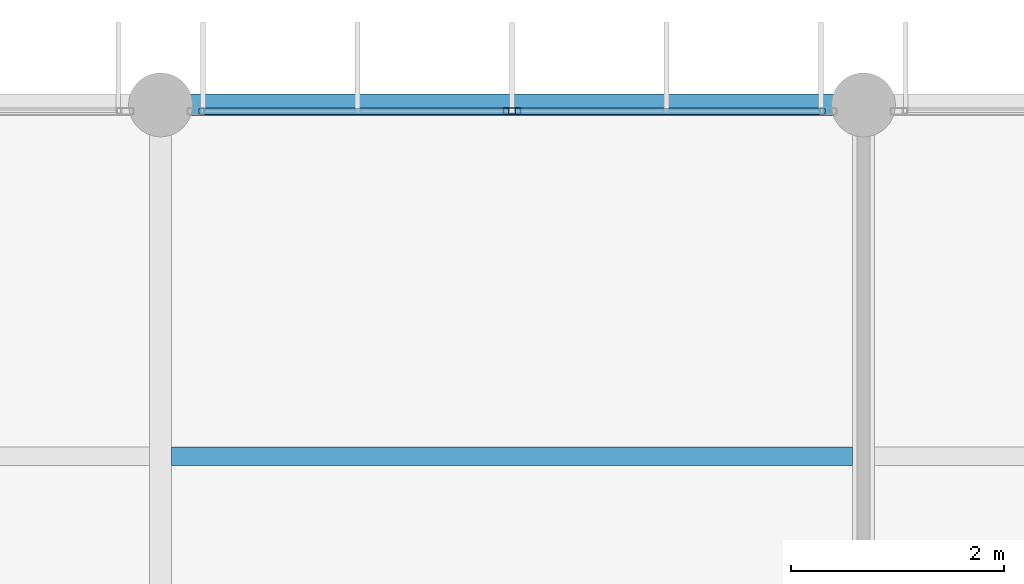
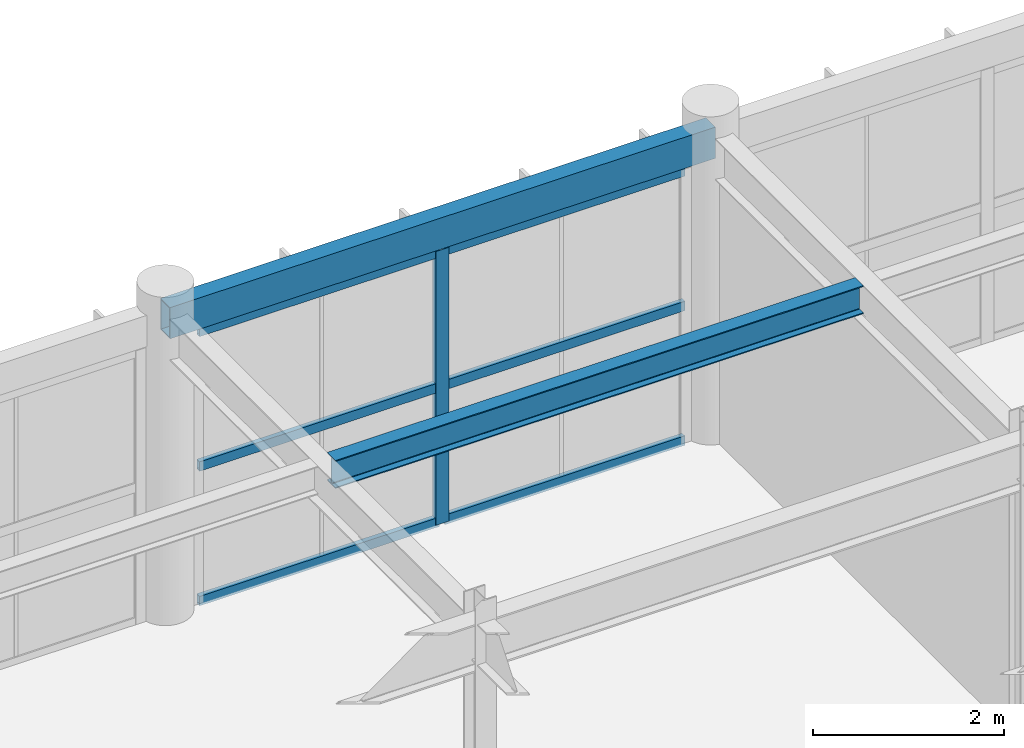
# One storey, part 23 of 66: 7 members, 2 beams, 1 element without a shape of its own.
"""IFC4 building model written with IfcOpenShell, lengths in metres."""

from ifc_helpers import new_model, si_unit, direction, frame, origin, origin_2d, place, context, subcontext, project, spatial, hollow_rectangle, i_section, extrude, material, material_profile, profile_set, type_object, element, aggregate, save


model = new_model("IFC4")

# Units and contexts
model_context = context("Model", 3, precision=1e-05, world=origin(), true_north=direction((0.0, 1.0)))
body_context = subcontext(model_context, "Body", "Model", "MODEL_VIEW")
ifc_project = project(units=[si_unit("LENGTHUNIT", "METRE"), si_unit("AREAUNIT", "SQUARE_METRE"), si_unit("VOLUMEUNIT", "CUBIC_METRE"), si_unit("PLANEANGLEUNIT", "RADIAN"), si_unit("MASSUNIT", "GRAM", prefix="KILO")], contexts=[model_context])

# Site, building, storey
site_placement = place(None, origin())
site = spatial("IfcSite", under=ifc_project, at=site_placement, CompositionType="ELEMENT")
building_placement = place(site_placement, origin())
building = spatial("IfcBuilding", under=site, at=building_placement, Name="Karori Crest Natural Sciences Institute", CompositionType="ELEMENT")
storey_placement = place(building_placement, frame((0.0, 0.0, 30.10009765625)))
storey = spatial("IfcBuildingStorey", under=building, at=storey_placement, Name="L07", CompositionType="ELEMENT", Elevation=30.10009765625)

# Beams
ifc_material_1 = material(Name="Structural steel AS/NZS 3679.1 Grade 350", Category="steel")
ifc_material_profile_1 = material_profile(ifc_material_1, i_section(OverallWidth=0.172119140625, OverallDepth=0.35888671875, WebThickness=0.008056640625, FlangeThickness=0.012939453125, FilletRadius=0.010986328125, at=origin_2d()), Name="360UB56.7")
ifc_profile_set_1 = profile_set([ifc_material_profile_1], Name="Structural steel AS/NZS 3679.1 Grade 350")
beam_type_1 = type_object("IfcBeamType", Name="BT-08", PredefinedType="BEAM", material=ifc_profile_set_1)
beam_1_placement = place(storey_placement, frame((130.1044921875, 17.300048828125, 3.740478515625), z_axis=(1.0, 0.0, 0.0), x_axis=(0.0, 1.0, 0.0)))
element("IfcBeam", 1, at=beam_1_placement, inside=storey, type_object=beam_type_1, Name="Beam B-2685", PredefinedType="BEAM", context=body_context, shape_type="SweptSolid", body=[
    extrude(i_section(OverallWidth=0.172119140625, OverallDepth=0.35888671875, WebThickness=0.008056640625, FlangeThickness=0.012939453125, FilletRadius=0.010986328125, at=origin_2d()), origin(), (0.0, 0.0, 1.0), 6.39111328125),
])
ifc_material_2 = material(Name="Hollow structural steel AS/NZS 1163 Grade C350", Category="steel")
ifc_material_profile_2 = material_profile(ifc_material_2, hollow_rectangle(XDim=0.199951171875, YDim=0.39990234375, WallThickness=0.012451171875, at=origin_2d()), Name="RHS400x200x12.5")
ifc_profile_set_2 = profile_set([ifc_material_profile_2], Name="Hollow structural steel AS/NZS 1163 Grade C350")
beam_type_2 = type_object("IfcBeamType", Name="BT-14", PredefinedType="SPANDREL", material=ifc_profile_set_2)
beam_2_placement = place(storey_placement, frame((130.0, 20.60009765625, 3.719970703125), z_axis=(1.0, 0.0, 0.0), x_axis=(0.0, 1.0, 0.0)))
element("IfcBeam", 2, at=beam_2_placement, inside=storey, type_object=beam_type_2, Name="Beam B-2644", PredefinedType="SPANDREL", context=body_context, shape_type="SweptSolid", body=[
    extrude(hollow_rectangle(XDim=0.199951171875, YDim=0.39990234375, WallThickness=0.012451171875, at=origin_2d()), origin(), (0.0, 0.0, 1.0), 6.60009765625),
])

# Curtain wall, members
ifc_material_3 = material(Name="Anodised architectural aluminium 6063-T6", Category="aluminium")
curtain_wall_type = type_object("IfcCurtainWallType", Name="CWT-20", PredefinedType="NOTDEFINED", material=ifc_material_3)
curtain_wall_placement = place(storey_placement, origin())
curtain_wall = element("IfcCurtainWall", 3, at=curtain_wall_placement, inside=storey, type_object=curtain_wall_type, Name="Curtain wall CW-0361", PredefinedType="NOTDEFINED")
ifc_material_profile_3 = material_profile(ifc_material_3, hollow_rectangle(XDim=0.06494140625, YDim=0.159912109375, WallThickness=0.00390625, at=origin_2d()), Name="CWM160x65x4")
ifc_profile_set_3 = profile_set([ifc_material_profile_3], Name="Anodised architectural aluminium 6063-T6")
member_type_1 = type_object("IfcMemberType", Name="CWM-01", PredefinedType="MULLION", material=ifc_profile_set_3)
member_1_placement = place(storey_placement, frame((133.300048828125, 20.5400390625, 0.0), z_axis=(0.0, 0.0, 1.0), x_axis=(0.0, 1.0, 0.0)))
member_1 = element("IfcMember", 4, at=member_1_placement, type_object=member_type_1, Name="CW-0361 mullion 2", PredefinedType="MULLION", context=body_context, shape_type="SweptSolid", body=[
    extrude(hollow_rectangle(XDim=0.06494140625, YDim=0.159912109375, WallThickness=0.00390625, at=origin_2d()), origin(), (0.0, 0.0, 1.0), 3.5048828125),
])
ifc_material_profile_4 = material_profile(ifc_material_3, hollow_rectangle(XDim=0.06005859375, YDim=0.1201171875, WallThickness=0.00390625, at=origin_2d()), Name="CWT120x60x4")
ifc_profile_set_4 = profile_set([ifc_material_profile_4], Name="Anodised architectural aluminium 6063-T6")
member_type_2 = type_object("IfcMemberType", Name="CWT-TR1", PredefinedType="USERDEFINED", material=ifc_profile_set_4)
member_2_placement = place(storey_placement, frame((130.363037109375, 20.5400390625, 0.02978515625), z_axis=(1.0, 0.0, 0.0), x_axis=(0.0, 1.0, 0.0)))
member_2 = element("IfcMember", 5, at=member_2_placement, type_object=member_type_2, Name="CW-0361 transom 1.1", ObjectType="TRANSOM", PredefinedType="USERDEFINED", context=body_context, shape_type="SweptSolid", body=[
    extrude(hollow_rectangle(XDim=0.06005859375, YDim=0.1201171875, WallThickness=0.00390625, at=origin_2d()), origin(), (0.0, 0.0, 1.0), 2.904541015625),
])
member_3_placement = place(storey_placement, frame((130.363037109375, 20.5400390625, 1.75244140625), z_axis=(1.0, 0.0, 0.0), x_axis=(0.0, 1.0, 0.0)))
member_3 = element("IfcMember", 6, at=member_3_placement, type_object=member_type_2, Name="CW-0361 transom 1.2", ObjectType="TRANSOM", PredefinedType="USERDEFINED", context=body_context, shape_type="SweptSolid", body=[
    extrude(hollow_rectangle(XDim=0.06005859375, YDim=0.1201171875, WallThickness=0.00390625, at=origin_2d()), origin(), (0.0, 0.0, 1.0), 2.904541015625),
])
member_4_placement = place(storey_placement, frame((130.363037109375, 20.5400390625, 3.474853515625), z_axis=(1.0, 0.0, 0.0), x_axis=(0.0, 1.0, 0.0)))
member_4 = element("IfcMember", 7, at=member_4_placement, type_object=member_type_2, Name="CW-0361 transom 1.3", ObjectType="TRANSOM", PredefinedType="USERDEFINED", context=body_context, shape_type="SweptSolid", body=[
    extrude(hollow_rectangle(XDim=0.06005859375, YDim=0.1201171875, WallThickness=0.00390625, at=origin_2d()), origin(), (0.0, 0.0, 1.0), 2.904541015625),
])
member_5_placement = place(storey_placement, frame((133.33251953125, 20.5400390625, 0.02978515625), z_axis=(1.0, 0.0, 0.0), x_axis=(0.0, 1.0, 0.0)))
member_5 = element("IfcMember", 8, at=member_5_placement, type_object=member_type_2, Name="CW-0361 transom 2.1", ObjectType="TRANSOM", PredefinedType="USERDEFINED", context=body_context, shape_type="SweptSolid", body=[
    extrude(hollow_rectangle(XDim=0.06005859375, YDim=0.1201171875, WallThickness=0.00390625, at=origin_2d()), origin(), (0.0, 0.0, 1.0), 2.904541015625),
])
member_6_placement = place(storey_placement, frame((133.33251953125, 20.5400390625, 1.75244140625), z_axis=(1.0, 0.0, 0.0), x_axis=(0.0, 1.0, 0.0)))
member_6 = element("IfcMember", 9, at=member_6_placement, type_object=member_type_2, Name="CW-0361 transom 2.2", ObjectType="TRANSOM", PredefinedType="USERDEFINED", context=body_context, shape_type="SweptSolid", body=[
    extrude(hollow_rectangle(XDim=0.06005859375, YDim=0.1201171875, WallThickness=0.00390625, at=origin_2d()), origin(), (0.0, 0.0, 1.0), 2.904541015625),
])
member_7_placement = place(storey_placement, frame((133.33251953125, 20.5400390625, 3.474853515625), z_axis=(1.0, 0.0, 0.0), x_axis=(0.0, 1.0, 0.0)))
member_7 = element("IfcMember", 10, at=member_7_placement, type_object=member_type_2, Name="CW-0361 transom 2.3", ObjectType="TRANSOM", PredefinedType="USERDEFINED", context=body_context, shape_type="SweptSolid", body=[
    extrude(hollow_rectangle(XDim=0.06005859375, YDim=0.1201171875, WallThickness=0.00390625, at=origin_2d()), origin(), (0.0, 0.0, 1.0), 2.904541015625),
])
aggregate(curtain_wall, [member_1, member_2, member_3, member_4, member_5, member_6, member_7])

save(model, "model.ifc")
